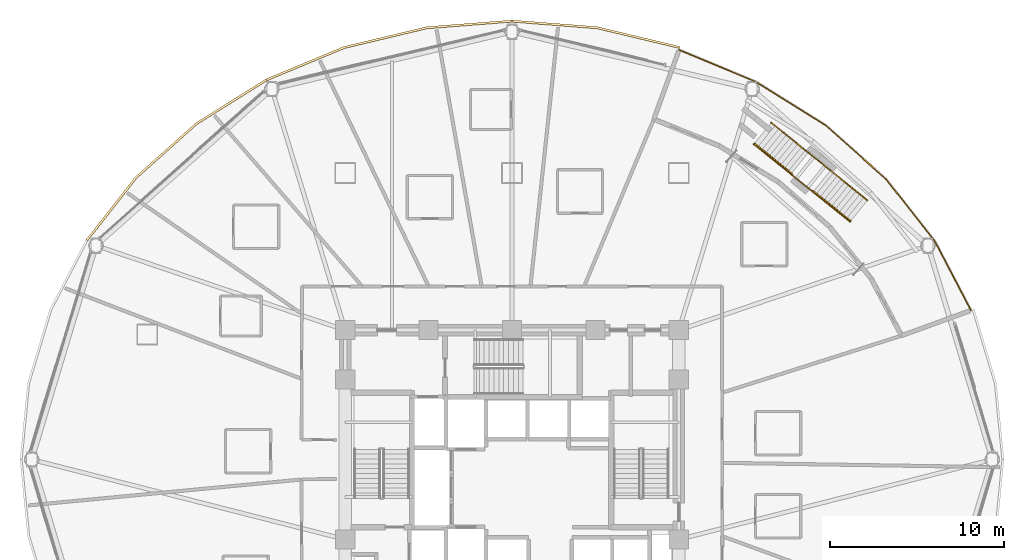
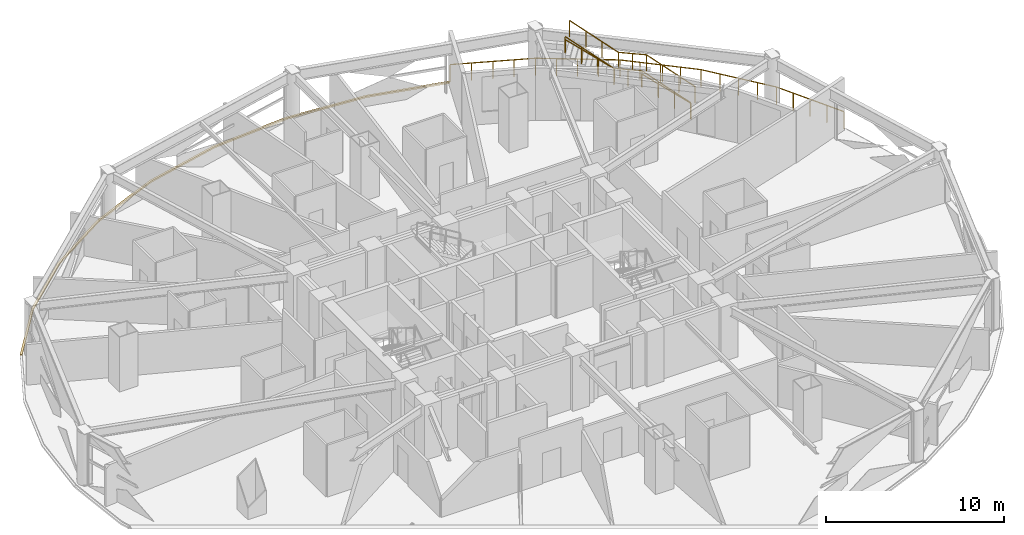
# One storey, part 33 of 33: 5 railings, 3 coverings.
"""IFC4 building model written with IfcOpenShell, lengths in metres."""

from ifc_helpers import new_model, si_unit, direction, frame, origin, origin_2d, place, context, subcontext, project, spatial, polyline, rectangle, outline, extrude, material, layer, layer_set, type_object, element, save


model = new_model("IFC4")

# Units and contexts
model_context = context("Model", 3, precision=1e-05, world=origin(), true_north=direction((0.0, 1.0)))
body_context = subcontext(model_context, "Body", "Model", "MODEL_VIEW")
ifc_project = project(units=[si_unit("LENGTHUNIT", "METRE"), si_unit("AREAUNIT", "SQUARE_METRE"), si_unit("VOLUMEUNIT", "CUBIC_METRE"), si_unit("PLANEANGLEUNIT", "RADIAN"), si_unit("MASSUNIT", "GRAM", prefix="KILO")], contexts=[model_context])

# Site, building, storey
site_placement = place(None, origin())
site = spatial("IfcSite", under=ifc_project, at=site_placement, CompositionType="ELEMENT")
building_placement = place(site_placement, origin())
building = spatial("IfcBuilding", under=site, at=building_placement, Name="Vantalir Tower", CompositionType="ELEMENT")
storey_placement = place(building_placement, frame((0.0, 0.0, 68.25)))
storey = spatial("IfcBuildingStorey", under=building, at=storey_placement, Name="L16", CompositionType="ELEMENT", Elevation=68.25)

# Coverings
ifc_material_1 = material(Name="Anodised champagne aluminium sill fascia", Category="aluminium")
ifc_layer = layer(ifc_material_1, 0.125)
ifc_layer_set = layer_set([ifc_layer], Name="Anodised champagne aluminium sill fascia")
covering_type = type_object("IfcCoveringType", Name="COV-SLAB-FASCIA-125", PredefinedType="CLADDING", material=ifc_layer_set)
covering_1_placement = place(storey_placement, frame((0.0, 0.0, -0.179931640625)))
element("IfcCovering", 1, at=covering_1_placement, inside=storey, type_object=covering_type, Name="L16 Perimeter Slab-Edge Sill Fascia 03", PredefinedType="CLADDING", context=body_context, shape_type="SweptSolid", body=[
    extrude(outline(polyline([(41.18798828125, 48.778076171875), (36.4189453125, 49.919921875), (31.5, 50.303955078125), (31.5, 50.178955078125), (36.39697265625, 49.7958984375), (41.14501953125, 48.660888671875), (41.18798828125, 48.778076171875)])), origin(), (0.0, 0.0, 1.0), 0.10498046875),
])
covering_2_placement = place(storey_placement, frame((0.0, 0.0, -0.179931640625)))
element("IfcCovering", 2, at=covering_2_placement, inside=storey, type_object=covering_type, Name="L16 Perimeter Slab-Edge Sill Fascia 04", PredefinedType="CLADDING", context=body_context, shape_type="SweptSolid", body=[
    extrude(outline(polyline([(31.5, 50.303955078125), (26.5810546875, 49.919921875), (21.81201171875, 48.778076171875), (17.337890625, 46.9140625), (17.39990234375, 46.805908203125), (21.85498046875, 48.660888671875), (26.60302734375, 49.7958984375), (31.5, 50.178955078125), (31.5, 50.303955078125)])), origin(), (0.0, 0.0, 1.0), 0.10498046875),
])
covering_3_placement = place(storey_placement, frame((0.0, 0.0, -0.179931640625)))
element("IfcCovering", 3, at=covering_3_placement, inside=storey, type_object=covering_type, Name="L16 Perimeter Slab-Edge Sill Fascia 05", PredefinedType="CLADDING", context=body_context, shape_type="SweptSolid", body=[
    extrude(outline(polyline([(17.337890625, 46.9140625), (13.29296875, 44.384033203125), (9.802001953125, 41.264892578125), (6.969970703125, 37.652099609375), (7.077880859375, 37.589111328125), (9.89794921875, 41.18505859375), (13.373046875, 44.2880859375), (17.39990234375, 46.805908203125), (17.337890625, 46.9140625)])), origin(), (0.0, 0.0, 1.0), 0.10498046875),
])

# Railings
ifc_material_2 = material(Name="Laminated safety glass and champagne-silver balustrade", Category="glass")
railing_type_1 = type_object("IfcRailingType", Name="RAL-BALUSTRADE-1200", PredefinedType="BALUSTRADE", material=ifc_material_2)
railing_1_placement = place(storey_placement, frame((57.924072265625, 33.583984375, 0.0)))
element("IfcRailing", 4, at=railing_1_placement, inside=storey, type_object=railing_type_1, Name="L16 SG1 Sky-Garden Perimeter Balustrade", PredefinedType="BALUSTRADE", context=body_context, shape_type="SweptSolid", body=[
    extrude(rectangle(XDim=0.048095703125, YDim=0.048095703125, at=origin_2d()), frame((0.0, 0.0, 1.17578125), z_axis=(-0.462970698883, 0.886373584882, 0.0), x_axis=(-0.886373584882, -0.462970698883, 0.0)), (0.0, 0.0, 1.0), 4.473388671875),
    extrude(rectangle(XDim=0.048095703125, YDim=0.048095703125, at=origin_2d()), frame((-2.071044921875, 3.965087890625, 1.17578125), z_axis=(-0.617281759157, 0.786742162218, 0.0), x_axis=(-0.786742162218, -0.617281759157, 0.0)), (0.0, 0.0, 1.0), 4.555419921875),
    extrude(rectangle(XDim=0.048095703125, YDim=0.048095703125, at=origin_2d()), frame((-4.883056640625, 7.549072265625, 1.17578125), z_axis=(-0.746013177173, 0.665931182244, 0.0), x_axis=(-0.665931182244, -0.746013177173, 0.0)), (0.0, 0.0, 1.0), 4.64599609375),
    extrude(rectangle(XDim=0.048095703125, YDim=0.048095703125, at=origin_2d()), frame((-8.34912109375, 10.64306640625, 1.17578125), z_axis=(-0.848024376337, 0.529957221989, 0.0), x_axis=(-0.529957221989, -0.848024376337, 0.0)), (0.0, 0.0, 1.0), 4.734375),
    extrude(rectangle(XDim=0.048095703125, YDim=0.048095703125, at=origin_2d()), frame((-12.364013671875, 13.152099609375, 1.17578125), z_axis=(-0.923225473122, 0.384258670401, 0.0), x_axis=(-0.384258670401, -0.923225473122, 0.0)), (0.0, 0.0, 1.0), 4.8115234375),
    extrude(rectangle(XDim=0.0419921875, YDim=0.0419921875, at=origin_2d()), origin(), (0.0, 0.0, 1.0), 1.15185546875),
    extrude(rectangle(XDim=0.0419921875, YDim=0.0419921875, at=origin_2d()), frame((-0.517822265625, 0.9912109375, 0.0)), (0.0, 0.0, 1.0), 1.15185546875),
    extrude(rectangle(XDim=0.0419921875, YDim=0.0419921875, at=origin_2d()), frame((-1.03564453125, 1.982421875, 0.0)), (0.0, 0.0, 1.0), 1.15185546875),
    extrude(rectangle(XDim=0.0419921875, YDim=0.0419921875, at=origin_2d()), frame((-1.55322265625, 2.973876953125, 0.0)), (0.0, 0.0, 1.0), 1.15185546875),
    extrude(rectangle(XDim=0.0419921875, YDim=0.0419921875, at=origin_2d()), frame((-2.071044921875, 3.965087890625, 0.0)), (0.0, 0.0, 1.0), 1.15185546875),
    extrude(rectangle(XDim=0.0419921875, YDim=0.0419921875, at=origin_2d()), frame((-2.77392578125, 4.861083984375, 0.0)), (0.0, 0.0, 1.0), 1.15185546875),
    extrude(rectangle(XDim=0.0419921875, YDim=0.0419921875, at=origin_2d()), frame((-3.47705078125, 5.757080078125, 0.0)), (0.0, 0.0, 1.0), 1.15185546875),
    extrude(rectangle(XDim=0.0419921875, YDim=0.0419921875, at=origin_2d()), frame((-4.18017578125, 6.653076171875, 0.0)), (0.0, 0.0, 1.0), 1.15185546875),
    extrude(rectangle(XDim=0.0419921875, YDim=0.0419921875, at=origin_2d()), frame((-4.883056640625, 7.549072265625, 0.0)), (0.0, 0.0, 1.0), 1.15185546875),
    extrude(rectangle(XDim=0.0419921875, YDim=0.0419921875, at=origin_2d()), frame((-5.74951171875, 8.322509765625, 0.0)), (0.0, 0.0, 1.0), 1.15185546875),
    extrude(rectangle(XDim=0.0419921875, YDim=0.0419921875, at=origin_2d()), frame((-6.6162109375, 9.09619140625, 0.0)), (0.0, 0.0, 1.0), 1.15185546875),
    extrude(rectangle(XDim=0.0419921875, YDim=0.0419921875, at=origin_2d()), frame((-7.482666015625, 9.86962890625, 0.0)), (0.0, 0.0, 1.0), 1.15185546875),
    extrude(rectangle(XDim=0.0419921875, YDim=0.0419921875, at=origin_2d()), frame((-8.34912109375, 10.64306640625, 0.0)), (0.0, 0.0, 1.0), 1.15185546875),
    extrude(rectangle(XDim=0.0419921875, YDim=0.0419921875, at=origin_2d()), frame((-9.352783203125, 11.270263671875, 0.0)), (0.0, 0.0, 1.0), 1.15185546875),
    extrude(rectangle(XDim=0.0419921875, YDim=0.0419921875, at=origin_2d()), frame((-10.3564453125, 11.8974609375, 0.0)), (0.0, 0.0, 1.0), 1.15185546875),
    extrude(rectangle(XDim=0.0419921875, YDim=0.0419921875, at=origin_2d()), frame((-11.3603515625, 12.52490234375, 0.0)), (0.0, 0.0, 1.0), 1.15185546875),
    extrude(rectangle(XDim=0.0419921875, YDim=0.0419921875, at=origin_2d()), frame((-12.364013671875, 13.152099609375, 0.0)), (0.0, 0.0, 1.0), 1.15185546875),
    extrude(rectangle(XDim=0.0419921875, YDim=0.0419921875, at=origin_2d()), frame((-13.474609375, 13.6142578125, 0.0)), (0.0, 0.0, 1.0), 1.15185546875),
    extrude(rectangle(XDim=0.0419921875, YDim=0.0419921875, at=origin_2d()), frame((-14.5849609375, 14.07666015625, 0.0)), (0.0, 0.0, 1.0), 1.15185546875),
    extrude(rectangle(XDim=0.0419921875, YDim=0.0419921875, at=origin_2d()), frame((-15.695556640625, 14.538818359375, 0.0)), (0.0, 0.0, 1.0), 1.15185546875),
    extrude(rectangle(XDim=0.0419921875, YDim=0.0419921875, at=origin_2d()), frame((-16.80615234375, 15.0009765625, 0.0)), (0.0, 0.0, 1.0), 1.15185546875),
])
railing_2_placement = place(storey_placement, frame((51.9619140625, 39.9189453125, 0.0)))
element("IfcRailing", 5, at=railing_2_placement, inside=storey, type_object=railing_type_1, Name="Sky Garden Stair SG1 Balustrade OUT", PredefinedType="BALUSTRADE", context=body_context, shape_type="SweptSolid", body=[
    extrude(rectangle(XDim=0.048095703125, YDim=0.048095703125, at=origin_2d()), frame((0.0, 0.0, 1.1259765625), z_axis=(-0.643404116346, 0.519627511029, 0.562155132371), x_axis=(-0.628304144573, -0.777967802619, 0.0)), (0.0, 0.0, 1.0), 3.33544921875),
    extrude(rectangle(XDim=0.048095703125, YDim=0.048095703125, at=origin_2d()), frame((-2.14599609375, 1.733154296875, 3.0009765625), z_axis=(-0.777823583166, 0.628482675553, 0.0), x_axis=(-0.628482675553, -0.777823583166, 0.0)), (0.0, 0.0, 1.0), 1.600341796875),
    extrude(rectangle(XDim=0.048095703125, YDim=0.048095703125, at=origin_2d()), frame((-3.390869140625, 2.739013671875, 3.0009765625), z_axis=(-0.643649217589, 0.519645418565, 0.561857921241), x_axis=(-0.628172410602, -0.778074175486, 0.0)), (0.0, 0.0, 1.0), 3.337158203125),
    extrude(rectangle(XDim=0.0419921875, YDim=0.0419921875, at=origin_2d()), origin(), (0.0, 0.0, 1.0), 1.101806640625),
    extrude(rectangle(XDim=0.0419921875, YDim=0.0419921875, at=origin_2d()), frame((-0.71533203125, 0.57763671875, 0.625)), (0.0, 0.0, 1.0), 1.101806640625),
    extrude(rectangle(XDim=0.0419921875, YDim=0.0419921875, at=origin_2d()), frame((-1.4306640625, 1.155517578125, 1.25)), (0.0, 0.0, 1.0), 1.101806640625),
    extrude(rectangle(XDim=0.0419921875, YDim=0.0419921875, at=origin_2d()), frame((-2.14599609375, 1.733154296875, 1.875)), (0.0, 0.0, 1.0), 1.101806640625),
    extrude(rectangle(XDim=0.0419921875, YDim=0.0419921875, at=origin_2d()), frame((-2.7685546875, 2.236083984375, 1.875)), (0.0, 0.0, 1.0), 1.101806640625),
    extrude(rectangle(XDim=0.0419921875, YDim=0.0419921875, at=origin_2d()), frame((-3.390869140625, 2.739013671875, 1.875)), (0.0, 0.0, 1.0), 1.101806640625),
    extrude(rectangle(XDim=0.0419921875, YDim=0.0419921875, at=origin_2d()), frame((-4.10693359375, 3.317138671875, 2.5)), (0.0, 0.0, 1.0), 1.101806640625),
    extrude(rectangle(XDim=0.0419921875, YDim=0.0419921875, at=origin_2d()), frame((-4.82275390625, 3.89501953125, 3.125)), (0.0, 0.0, 1.0), 1.101806640625),
    extrude(rectangle(XDim=0.0419921875, YDim=0.0419921875, at=origin_2d()), frame((-5.538818359375, 4.47314453125, 3.75)), (0.0, 0.0, 1.0), 1.101806640625),
])
railing_3_placement = place(storey_placement, frame((50.964111328125, 38.680908203125, 0.0)))
element("IfcRailing", 6, at=railing_3_placement, inside=storey, type_object=railing_type_1, Name="Sky Garden Stair SG1 Balustrade IN", PredefinedType="BALUSTRADE", context=body_context, shape_type="SweptSolid", body=[
    extrude(rectangle(XDim=0.048095703125, YDim=0.048095703125, at=origin_2d()), frame((0.0, 0.0, 1.1259765625), z_axis=(-0.643520639956, 0.519718829518, 0.561937295607), x_axis=(-0.628302104215, -0.777969450454, 0.0)), (0.0, 0.0, 1.0), 3.336669921875),
    extrude(rectangle(XDim=0.048095703125, YDim=0.048095703125, at=origin_2d()), frame((-2.147216796875, 1.734130859375, 3.0009765625), z_axis=(-0.777823583166, 0.628482675553, 0.0), x_axis=(-0.628482675553, -0.777823583166, 0.0)), (0.0, 0.0, 1.0), 1.600341796875),
    extrude(rectangle(XDim=0.048095703125, YDim=0.048095703125, at=origin_2d()), frame((-3.39208984375, 2.739990234375, 3.0009765625), z_axis=(-0.643649217589, 0.519645418565, 0.561857921241), x_axis=(-0.628172410602, -0.778074175486, 0.0)), (0.0, 0.0, 1.0), 3.337158203125),
    extrude(rectangle(XDim=0.0419921875, YDim=0.0419921875, at=origin_2d()), origin(), (0.0, 0.0, 1.0), 1.101806640625),
    extrude(rectangle(XDim=0.0419921875, YDim=0.0419921875, at=origin_2d()), frame((-0.7158203125, 0.578125, 0.625)), (0.0, 0.0, 1.0), 1.101806640625),
    extrude(rectangle(XDim=0.0419921875, YDim=0.0419921875, at=origin_2d()), frame((-1.431396484375, 1.156005859375, 1.25)), (0.0, 0.0, 1.0), 1.101806640625),
    extrude(rectangle(XDim=0.0419921875, YDim=0.0419921875, at=origin_2d()), frame((-2.147216796875, 1.734130859375, 1.875)), (0.0, 0.0, 1.0), 1.101806640625),
    extrude(rectangle(XDim=0.0419921875, YDim=0.0419921875, at=origin_2d()), frame((-2.76953125, 2.237060546875, 1.875)), (0.0, 0.0, 1.0), 1.101806640625),
    extrude(rectangle(XDim=0.0419921875, YDim=0.0419921875, at=origin_2d()), frame((-3.39208984375, 2.739990234375, 1.875)), (0.0, 0.0, 1.0), 1.101806640625),
    extrude(rectangle(XDim=0.0419921875, YDim=0.0419921875, at=origin_2d()), frame((-4.108154296875, 3.318115234375, 2.5)), (0.0, 0.0, 1.0), 1.101806640625),
    extrude(rectangle(XDim=0.0419921875, YDim=0.0419921875, at=origin_2d()), frame((-4.823974609375, 3.89599609375, 3.125)), (0.0, 0.0, 1.0), 1.101806640625),
    extrude(rectangle(XDim=0.0419921875, YDim=0.0419921875, at=origin_2d()), frame((-5.5400390625, 4.47412109375, 3.75)), (0.0, 0.0, 1.0), 1.101806640625),
])
ifc_material_3 = material(Name="Brushed stainless steel tubular handrail", Category="steel")
railing_type_2 = type_object("IfcRailingType", Name="RAL-HANDRAIL-900", PredefinedType="HANDRAIL", material=ifc_material_3)
for number, where, name in (
    (7, (51.0009765625, 38.72802734375, 0.169921875), "Sky Garden Stair SG1 Handrail F1"),
    (8, (47.639892578125, 41.44189453125, 2.044921875), "Sky Garden Stair SG1 Handrail F2"),
):
    element("IfcRailing", number, at=place(storey_placement, frame(where)), inside=storey, type_object=railing_type_2, Name=name, PredefinedType="HANDRAIL", context=body_context, shape_type="SweptSolid", body=[
        extrude(rectangle(XDim=0.048095703125, YDim=0.048095703125, at=origin_2d()), frame((0.0, 0.0, 0.8759765625), z_axis=(-0.664429294476, 0.536622919706, 0.520163007804), x_axis=(-0.628314778504, -0.7779592143, 0.0)), (0.0, 0.0, 1.0), 3.278076171875),
        extrude(rectangle(XDim=0.0419921875, YDim=0.0419921875, at=origin_2d()), origin(), (0.0, 0.0, 1.0), 0.851806640625),
        extrude(rectangle(XDim=0.0419921875, YDim=0.0419921875, at=origin_2d()), frame((-0.72607421875, 0.58642578125, 0.568359375)), (0.0, 0.0, 1.0), 0.851806640625),
        extrude(rectangle(XDim=0.0419921875, YDim=0.0419921875, at=origin_2d()), frame((-1.451904296875, 1.172607421875, 1.13671875)), (0.0, 0.0, 1.0), 0.851806640625),
        extrude(rectangle(XDim=0.0419921875, YDim=0.0419921875, at=origin_2d()), frame((-2.177978515625, 1.759033203125, 1.705078125)), (0.0, 0.0, 1.0), 0.851806640625),
    ])

save(model, "model.ifc")
